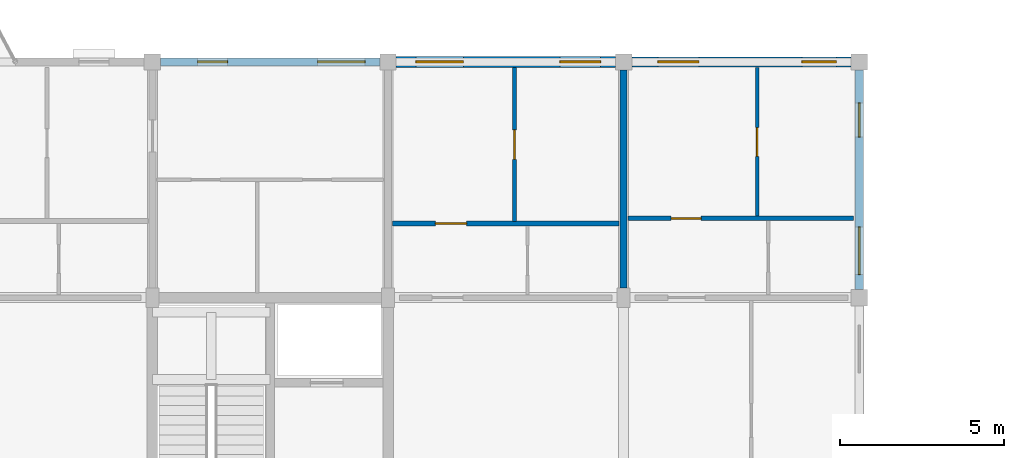
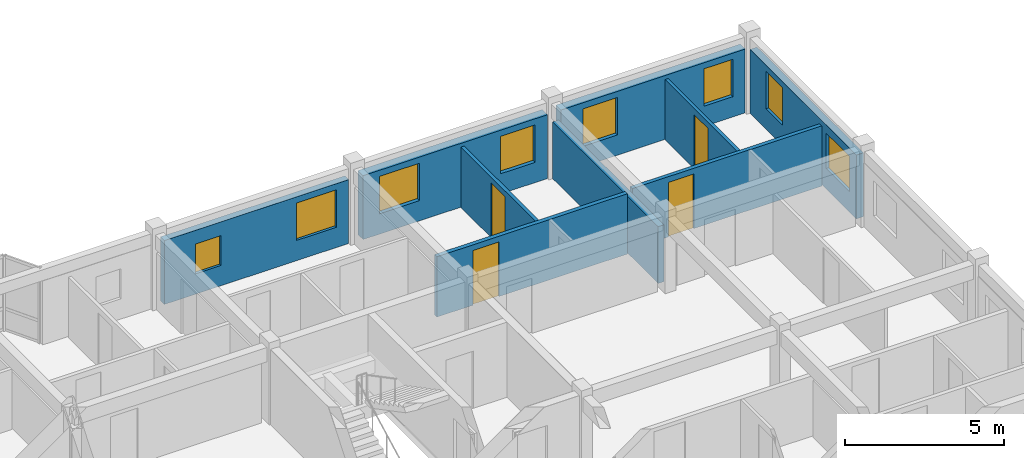
# One storey, part 60 of 65: 9 walls, 8 windows, 4 doors, 12 openings.
"""IFC4 building model written with IfcOpenShell, lengths in metres."""

from ifc_helpers import new_model, si_unit, direction, frame, frame_2d, origin, place, context, subcontext, project, spatial, rectangle, extrude, material, layer, layer_set, type_object, element, fill, save


model = new_model("IFC4")

# Units and contexts
model_context = context("Model", 3, precision=1e-05, world=origin(), true_north=direction((0.0, 1.0)))
body_context = subcontext(model_context, "Body", "Model", "MODEL_VIEW")
ifc_project = project(units=[si_unit("LENGTHUNIT", "METRE"), si_unit("AREAUNIT", "SQUARE_METRE"), si_unit("VOLUMEUNIT", "CUBIC_METRE"), si_unit("PLANEANGLEUNIT", "RADIAN"), si_unit("MASSUNIT", "GRAM", prefix="KILO"), si_unit("THERMODYNAMICTEMPERATUREUNIT", "KELVIN"), si_unit("POWERUNIT", "WATT")], contexts=[model_context])

# Site, building, storey
site_placement = place(None, origin())
site = spatial("IfcSite", under=ifc_project, at=site_placement, CompositionType="ELEMENT")
building_placement = place(site_placement, origin())
building = spatial("IfcBuilding", under=site, at=building_placement, Name="Tavuni Mirador Residences", CompositionType="ELEMENT")
storey_placement = place(building_placement, frame((0.0, 0.0, 29.699951171875)))
storey = spatial("IfcBuildingStorey", under=building, at=storey_placement, Name="L09", CompositionType="ELEMENT", Elevation=29.699951171875)

# Wall, openings, windows
ifc_material_1 = material(Name="Precast concrete C40/50", Category="concrete")
ifc_layer_1 = layer(ifc_material_1, 0.330078125, Name="Precast concrete C40/50", Category="concrete")
ifc_layer_set_1 = layer_set([ifc_layer_1], Name="Precast concrete C40/50")
wall_type_1 = type_object("IfcWallType", Name="WT-EXT-COR330", PredefinedType="SOLIDWALL", material=ifc_layer_set_1)
wall_1_placement = place(storey_placement, frame((53.75, 172.800048828125, 0.0), z_axis=(0.0, 0.0, 1.0), x_axis=(-1.0, 0.0, 0.0)))
wall_1 = element("IfcWall", 1, at=wall_1_placement, inside=storey, type_object=wall_type_1, Name="EW-BLK-C-L09-N05", PredefinedType="SOLIDWALL", context=body_context, shape_type="SweptSolid", body=[
    extrude(rectangle(XDim=6.699951171875, YDim=0.330078125, at=frame_2d((3.35009765625, 0.0))), origin(), (0.0, 0.0, 1.0), 2.455078125),
])
opening_1_placement = place(wall_1_placement, frame((0.449951171875, 0.0, 0.780029296875)))
opening_1 = element("IfcOpeningElement", 2, at=opening_1_placement, cuts=wall_1, Name="Opening WN-28", PredefinedType="OPENING", context=body_context, shape_type="SweptSolid", body=[
    extrude(rectangle(XDim=1.25, YDim=1.43994140625, at=frame_2d((0.625, 0.719970703125))), frame((0.0, 0.175048828125, 0.0), z_axis=(0.0, -1.0, 0.0), x_axis=(1.0, 0.0, 0.0)), (0.0, 0.0, 1.0), 0.35009765625),
])
opening_2_placement = place(wall_1_placement, frame((4.64990234375, 0.0, 0.780029296875)))
opening_2 = element("IfcOpeningElement", 3, at=opening_2_placement, cuts=wall_1, Name="Opening WN-30", PredefinedType="OPENING", context=body_context, shape_type="SweptSolid", body=[
    extrude(rectangle(XDim=1.449951171875, YDim=1.43994140625, at=frame_2d((0.72509765625, 0.719970703125))), frame((0.0, 0.175048828125, 0.0), z_axis=(0.0, -1.0, 0.0), x_axis=(1.0, 0.0, 0.0)), (0.0, 0.0, 1.0), 0.35009765625),
])
ifc_material_2 = material(Name="Laminated solar-control glass", Category="glass")
window_type_1 = type_object("IfcWindowType", Name="WNT-28", PartitioningType="SINGLE_PANEL", PredefinedType="WINDOW", material=ifc_material_2)
window_1_placement = place(opening_1_placement, origin())
window_1 = element("IfcWindow", 4, at=window_1_placement, inside=storey, type_object=window_type_1, Name="WIN-1248", OverallHeight=1.43994140625, OverallWidth=1.25, PartitioningType="SINGLE_PANEL", PredefinedType="WINDOW", context=body_context, shape_type="SweptSolid", body=[
    extrude(rectangle(XDim=1.25, YDim=1.43994140625, at=frame_2d((0.625, 0.719970703125))), frame((0.0, 0.030029296875, 0.0), z_axis=(0.0, -1.0, 0.0), x_axis=(1.0, 0.0, 0.0)), (0.0, 0.0, 1.0), 0.06005859375),
])
fill(opening_1, window_1)
window_type_2 = type_object("IfcWindowType", Name="WNT-30", PartitioningType="SINGLE_PANEL", PredefinedType="WINDOW", material=ifc_material_2)
window_2_placement = place(opening_2_placement, origin())
window_2 = element("IfcWindow", 5, at=window_2_placement, inside=storey, type_object=window_type_2, Name="WIN-1249", OverallHeight=1.43994140625, OverallWidth=1.449951171875, PartitioningType="SINGLE_PANEL", PredefinedType="WINDOW", context=body_context, shape_type="SweptSolid", body=[
    extrude(rectangle(XDim=1.449951171875, YDim=1.43994140625, at=frame_2d((0.72509765625, 0.719970703125))), frame((0.0, 0.030029296875, 0.0), z_axis=(0.0, -1.0, 0.0), x_axis=(1.0, 0.0, 0.0)), (0.0, 0.0, 1.0), 0.06005859375),
])
fill(opening_2, window_2)

ifc_material_3 = material(Name="Sgraffito lime-rendered precast concrete C40/50", Category="concrete")
ifc_layer_2 = layer(ifc_material_3, 0.2451171875, Name="Sgraffito lime-rendered precast concrete C40/50", Category="concrete")
ifc_layer_set_2 = layer_set([ifc_layer_2], Name="Sgraffito lime-rendered precast concrete C40/50")
wall_type_2 = type_object("IfcWallType", Name="WT-EXT-PC245", PredefinedType="SOLIDWALL", material=ifc_layer_set_2)
wall_2_placement = place(storey_placement, frame((46.550048828125, 172.800048828125, 0.0), z_axis=(0.0, 0.0, 1.0), x_axis=(-1.0, 0.0, 0.0)))
wall_2 = element("IfcWall", 6, at=wall_2_placement, inside=storey, type_object=wall_type_2, Name="EW-BLK-C-L09-N04", PredefinedType="SOLIDWALL", context=body_context, shape_type="SweptSolid", body=[
    extrude(rectangle(XDim=6.699951171875, YDim=0.2451171875, at=frame_2d((3.35009765625, 0.0))), origin(), (0.0, 0.0, 1.0), 2.455078125),
])
opening_3_placement = place(wall_2_placement, frame((0.449951171875, 0.0, 0.780029296875)))
opening_3 = element("IfcOpeningElement", 7, at=opening_3_placement, cuts=wall_2, Name="Opening WN-30", PredefinedType="OPENING", context=body_context, shape_type="SweptSolid", body=[
    extrude(rectangle(XDim=1.449951171875, YDim=1.43994140625, at=frame_2d((0.72509765625, 0.719970703125))), frame((0.0, 0.132568359375, 0.0), z_axis=(0.0, -1.0, 0.0), x_axis=(1.0, 0.0, 0.0)), (0.0, 0.0, 1.0), 0.26513671875),
])
opening_4_placement = place(wall_2_placement, frame((4.64990234375, 0.0, 0.780029296875)))
opening_4 = element("IfcOpeningElement", 8, at=opening_4_placement, cuts=wall_2, Name="Opening WN-02", PredefinedType="OPENING", context=body_context, shape_type="SweptSolid", body=[
    extrude(rectangle(XDim=0.919921875, YDim=1.14990234375, at=frame_2d((0.4599609375, 0.574951171875))), frame((0.0, 0.132568359375, 0.0), z_axis=(0.0, -1.0, 0.0), x_axis=(1.0, 0.0, 0.0)), (0.0, 0.0, 1.0), 0.26513671875),
])
window_type_3 = type_object("IfcWindowType", Name="WNT-02", PartitioningType="SINGLE_PANEL", PredefinedType="WINDOW", material=ifc_material_2)
window_3_placement = place(opening_4_placement, origin())
window_3 = element("IfcWindow", 9, at=window_3_placement, inside=storey, type_object=window_type_3, Name="WIN-1251", OverallHeight=1.14990234375, OverallWidth=0.919921875, PartitioningType="SINGLE_PANEL", PredefinedType="WINDOW", context=body_context, shape_type="SweptSolid", body=[
    extrude(rectangle(XDim=0.919921875, YDim=1.14990234375, at=frame_2d((0.4599609375, 0.574951171875))), frame((0.0, 0.030029296875, 0.0), z_axis=(0.0, -1.0, 0.0), x_axis=(1.0, 0.0, 0.0)), (0.0, 0.0, 1.0), 0.06005859375),
])
fill(opening_4, window_3)
window_4_placement = place(opening_3_placement, origin())
window_4 = element("IfcWindow", 10, at=window_4_placement, inside=storey, type_object=window_type_2, Name="WIN-1250", OverallHeight=1.43994140625, OverallWidth=1.449951171875, PartitioningType="SINGLE_PANEL", PredefinedType="WINDOW", context=body_context, shape_type="SweptSolid", body=[
    extrude(rectangle(XDim=1.449951171875, YDim=1.43994140625, at=frame_2d((0.72509765625, 0.719970703125))), frame((0.0, 0.030029296875, 0.0), z_axis=(0.0, -1.0, 0.0), x_axis=(1.0, 0.0, 0.0)), (0.0, 0.0, 1.0), 0.06005859375),
])
fill(opening_3, window_4)

ifc_layer_3 = layer(ifc_material_3, 0.2548828125, Name="Sgraffito lime-rendered precast concrete C40/50", Category="concrete")
ifc_layer_set_3 = layer_set([ifc_layer_3], Name="Sgraffito lime-rendered precast concrete C40/50")
wall_type_3 = type_object("IfcWallType", Name="WT-EXT-PC255", PredefinedType="SOLIDWALL", material=ifc_layer_set_3)
wall_3_placement = place(storey_placement, frame((61.199951171875, 165.85009765625, 0.0), z_axis=(0.0, 0.0, 1.0), x_axis=(0.0, 1.0, 0.0)))
wall_3 = element("IfcWall", 11, at=wall_3_placement, inside=storey, type_object=wall_type_3, Name="EW-BLK-C-L09-E03", PredefinedType="SOLIDWALL", context=body_context, shape_type="SweptSolid", body=[
    extrude(rectangle(XDim=6.699951171875, YDim=0.2548828125, at=frame_2d((3.35009765625, 0.0))), origin(), (0.0, 0.0, 1.0), 2.455078125),
])
opening_5_placement = place(wall_3_placement, frame((0.449951171875, 0.0, 0.780029296875)))
opening_5 = element("IfcOpeningElement", 12, at=opening_5_placement, cuts=wall_3, Name="Opening WN-24", PredefinedType="OPENING", context=body_context, shape_type="SweptSolid", body=[
    extrude(rectangle(XDim=1.4599609375, YDim=1.360107421875, at=frame_2d((0.72998046875, 0.68017578125))), frame((0.0, 0.137451171875, 0.0), z_axis=(0.0, -1.0, 0.0), x_axis=(1.0, 0.0, 0.0)), (0.0, 0.0, 1.0), 0.27490234375),
])
opening_6_placement = place(wall_3_placement, frame((4.64990234375, 0.0, 0.780029296875)))
opening_6 = element("IfcOpeningElement", 13, at=opening_6_placement, cuts=wall_3, Name="Opening WN-26", PredefinedType="OPENING", context=body_context, shape_type="SweptSolid", body=[
    extrude(rectangle(XDim=1.050048828125, YDim=1.43994140625, at=frame_2d((0.52490234375, 0.719970703125))), frame((0.0, 0.137451171875, 0.0), z_axis=(0.0, -1.0, 0.0), x_axis=(1.0, 0.0, 0.0)), (0.0, 0.0, 1.0), 0.27490234375),
])
window_type_4 = type_object("IfcWindowType", Name="WNT-24", PartitioningType="SINGLE_PANEL", PredefinedType="WINDOW", material=ifc_material_2)
window_5_placement = place(opening_5_placement, origin())
window_5 = element("IfcWindow", 14, at=window_5_placement, inside=storey, type_object=window_type_4, Name="WIN-1244", OverallHeight=1.360107421875, OverallWidth=1.4599609375, PartitioningType="SINGLE_PANEL", PredefinedType="WINDOW", context=body_context, shape_type="SweptSolid", body=[
    extrude(rectangle(XDim=1.4599609375, YDim=1.360107421875, at=frame_2d((0.72998046875, 0.68017578125))), frame((0.0, 0.030029296875, 0.0), z_axis=(0.0, -1.0, 0.0), x_axis=(1.0, 0.0, 0.0)), (0.0, 0.0, 1.0), 0.06005859375),
])
fill(opening_5, window_5)
window_type_5 = type_object("IfcWindowType", Name="WNT-26", PartitioningType="SINGLE_PANEL", PredefinedType="WINDOW", material=ifc_material_2)
window_6_placement = place(opening_6_placement, origin())
window_6 = element("IfcWindow", 15, at=window_6_placement, inside=storey, type_object=window_type_5, Name="WIN-1245", OverallHeight=1.43994140625, OverallWidth=1.050048828125, PartitioningType="SINGLE_PANEL", PredefinedType="WINDOW", context=body_context, shape_type="SweptSolid", body=[
    extrude(rectangle(XDim=1.050048828125, YDim=1.43994140625, at=frame_2d((0.52490234375, 0.719970703125))), frame((0.0, 0.030029296875, 0.0), z_axis=(0.0, -1.0, 0.0), x_axis=(1.0, 0.0, 0.0)), (0.0, 0.0, 1.0), 0.06005859375),
])
fill(opening_6, window_6)

ifc_layer_4 = layer(ifc_material_3, 0.31494140625, Name="Sgraffito lime-rendered precast concrete C40/50", Category="concrete")
ifc_layer_set_4 = layer_set([ifc_layer_4], Name="Sgraffito lime-rendered precast concrete C40/50")
wall_type_4 = type_object("IfcWallType", Name="WT-EXT-PC315", PredefinedType="SOLIDWALL", material=ifc_layer_set_4)
wall_4_placement = place(storey_placement, frame((60.949951171875, 172.800048828125, 0.0), z_axis=(0.0, 0.0, 1.0), x_axis=(-1.0, 0.0, 0.0)))
wall_4 = element("IfcWall", 16, at=wall_4_placement, inside=storey, type_object=wall_type_4, Name="EW-BLK-C-L09-N06", PredefinedType="SOLIDWALL", context=body_context, shape_type="SweptSolid", body=[
    extrude(rectangle(XDim=6.699951171875, YDim=0.31494140625, at=frame_2d((3.35009765625, 0.0))), origin(), (0.0, 0.0, 1.0), 2.455078125),
])
opening_7_placement = place(wall_4_placement, frame((0.449951171875, 0.0, 0.780029296875)))
opening_7 = element("IfcOpeningElement", 17, at=opening_7_placement, cuts=wall_4, Name="Opening WN-26", PredefinedType="OPENING", context=body_context, shape_type="SweptSolid", body=[
    extrude(rectangle(XDim=1.050048828125, YDim=1.43994140625, at=frame_2d((0.52490234375, 0.719970703125))), frame((0.0, 0.16748046875, 0.0), z_axis=(0.0, -1.0, 0.0), x_axis=(1.0, 0.0, 0.0)), (0.0, 0.0, 1.0), 0.3349609375),
])
opening_8_placement = place(wall_4_placement, frame((4.64990234375, 0.0, 0.780029296875)))
opening_8 = element("IfcOpeningElement", 18, at=opening_8_placement, cuts=wall_4, Name="Opening WN-28", PredefinedType="OPENING", context=body_context, shape_type="SweptSolid", body=[
    extrude(rectangle(XDim=1.25, YDim=1.43994140625, at=frame_2d((0.625, 0.719970703125))), frame((0.0, 0.16748046875, 0.0), z_axis=(0.0, -1.0, 0.0), x_axis=(1.0, 0.0, 0.0)), (0.0, 0.0, 1.0), 0.3349609375),
])
window_7_placement = place(opening_7_placement, origin())
window_7 = element("IfcWindow", 19, at=window_7_placement, inside=storey, type_object=window_type_5, Name="WIN-1246", OverallHeight=1.43994140625, OverallWidth=1.050048828125, PartitioningType="SINGLE_PANEL", PredefinedType="WINDOW", context=body_context, shape_type="SweptSolid", body=[
    extrude(rectangle(XDim=1.050048828125, YDim=1.43994140625, at=frame_2d((0.52490234375, 0.719970703125))), frame((0.0, 0.030029296875, 0.0), z_axis=(0.0, -1.0, 0.0), x_axis=(1.0, 0.0, 0.0)), (0.0, 0.0, 1.0), 0.06005859375),
])
fill(opening_7, window_7)
window_8_placement = place(opening_8_placement, origin())
window_8 = element("IfcWindow", 20, at=window_8_placement, inside=storey, type_object=window_type_1, Name="WIN-1247", OverallHeight=1.43994140625, OverallWidth=1.25, PartitioningType="SINGLE_PANEL", PredefinedType="WINDOW", context=body_context, shape_type="SweptSolid", body=[
    extrude(rectangle(XDim=1.25, YDim=1.43994140625, at=frame_2d((0.625, 0.719970703125))), frame((0.0, 0.030029296875, 0.0), z_axis=(0.0, -1.0, 0.0), x_axis=(1.0, 0.0, 0.0)), (0.0, 0.0, 1.0), 0.06005859375),
])
fill(opening_8, window_8)

# Wall, opening, door
ifc_material_4 = material(Name="Acoustic gypsum and concrete block partition", Category="concrete")
ifc_layer_5 = layer(ifc_material_4, 0.114990234375, Name="Acoustic gypsum and concrete block partition", Category="concrete")
ifc_layer_set_5 = layer_set([ifc_layer_5], Name="Acoustic gypsum and concrete block partition")
wall_type_5 = type_object("IfcWallType", Name="WT-PART115", PredefinedType="PARTITIONING", material=ifc_layer_set_5)
wall_5_placement = place(storey_placement, frame((58.080078125, 168.090087890625, 0.0), z_axis=(0.0, 0.0, 1.0), x_axis=(0.0, 1.0, 0.0)))
wall_5 = element("IfcWall", 21, at=wall_5_placement, inside=storey, type_object=wall_type_5, Name="PW-BLK-C-L09-N06-OUT", PredefinedType="PARTITIONING", context=body_context, shape_type="SweptSolid", body=[
    extrude(rectangle(XDim=4.534912109375, YDim=0.114990234375, at=frame_2d((2.267578125, 0.0))), origin(), (0.0, 0.0, 1.0), 2.320068359375),
])
opening_9_placement = place(wall_5_placement, frame((1.827392578125, 0.0, 0.0)))
opening_9 = element("IfcOpeningElement", 22, at=opening_9_placement, cuts=wall_5, Name="Opening D-08", PredefinedType="OPENING", context=body_context, shape_type="SweptSolid", body=[
    extrude(rectangle(XDim=0.8798828125, YDim=2.080078125, at=frame_2d((0.43994140625, 1.0400390625))), frame((0.0, 0.0673828125, 0.0), z_axis=(0.0, -1.0, 0.0), x_axis=(1.0, 0.0, 0.0)), (0.0, 0.0, 1.0), 0.135009765625),
])
ifc_material_5 = material(Name="Solid core iroko timber", Category="wood")
door_type_1 = type_object("IfcDoorType", Name="DT-BED880", OperationType="NOTDEFINED", PredefinedType="DOOR", material=ifc_material_5)
door_1_placement = place(opening_9_placement, origin())
door_1 = element("IfcDoor", 23, at=door_1_placement, inside=storey, type_object=door_type_1, Name="DR-4152", OperationType="SINGLE_SWING_LEFT", OverallHeight=2.080078125, OverallWidth=0.8798828125, PredefinedType="DOOR", context=body_context, shape_type="SweptSolid", body=[
    extrude(rectangle(XDim=0.8798828125, YDim=2.080078125, at=frame_2d((0.43994140625, 1.0400390625))), frame((0.0, 0.02490234375, 0.0), z_axis=(0.0, -1.0, 0.0), x_axis=(1.0, 0.0, 0.0)), (0.0, 0.0, 1.0), 0.050048828125),
])
fill(opening_9, door_1)

ifc_layer_6 = layer(ifc_material_4, 0.125, Name="Acoustic gypsum and concrete block partition", Category="concrete")
ifc_layer_set_6 = layer_set([ifc_layer_6], Name="Acoustic gypsum and concrete block partition")
wall_type_6 = type_object("IfcWallType", Name="WT-PART125", PredefinedType="PARTITIONING", material=ifc_layer_set_6)
wall_6_placement = place(storey_placement, frame((50.659912109375, 167.929931640625, 0.0), z_axis=(0.0, 0.0, 1.0), x_axis=(0.0, 1.0, 0.0)))
wall_6 = element("IfcWall", 24, at=wall_6_placement, inside=storey, type_object=wall_type_6, Name="PW-BLK-C-L09-N05-OUT", PredefinedType="PARTITIONING", context=body_context, shape_type="SweptSolid", body=[
    extrude(rectangle(XDim=4.695068359375, YDim=0.125, at=frame_2d((2.34765625, 0.0))), origin(), (0.0, 0.0, 1.0), 2.320068359375),
])
opening_10_placement = place(wall_6_placement, frame((1.8974609375, 0.0, 0.0)))
opening_10 = element("IfcOpeningElement", 25, at=opening_10_placement, cuts=wall_6, Name="Opening D-07", PredefinedType="OPENING", context=body_context, shape_type="SweptSolid", body=[
    extrude(rectangle(XDim=0.89990234375, YDim=2.10009765625, at=frame_2d((0.449951171875, 1.050048828125))), frame((0.0, 0.072509765625, 0.0), z_axis=(0.0, -1.0, 0.0), x_axis=(1.0, 0.0, 0.0)), (0.0, 0.0, 1.0), 0.14501953125),
])
door_type_2 = type_object("IfcDoorType", Name="DT-BED900", OperationType="NOTDEFINED", PredefinedType="DOOR", material=ifc_material_5)
door_2_placement = place(opening_10_placement, origin())
door_2 = element("IfcDoor", 26, at=door_2_placement, inside=storey, type_object=door_type_2, Name="DR-4145", OperationType="SINGLE_SWING_RIGHT", OverallHeight=2.10009765625, OverallWidth=0.89990234375, PredefinedType="DOOR", context=body_context, shape_type="SweptSolid", body=[
    extrude(rectangle(XDim=0.89990234375, YDim=2.10009765625, at=frame_2d((0.449951171875, 1.050048828125))), frame((0.0, 0.02490234375, 0.0), z_axis=(0.0, -1.0, 0.0), x_axis=(1.0, 0.0, 0.0)), (0.0, 0.0, 1.0), 0.050048828125),
])
fill(opening_10, door_2)

ifc_layer_7 = layer(ifc_material_4, 0.139892578125, Name="Acoustic gypsum and concrete block partition", Category="concrete")
ifc_layer_set_7 = layer_set([ifc_layer_7], Name="Acoustic gypsum and concrete block partition")
wall_type_7 = type_object("IfcWallType", Name="WT-PART140", PredefinedType="PARTITIONING", material=ifc_layer_set_7)
wall_7_placement = place(storey_placement, frame((54.139892578125, 168.02001953125, 0.0), z_axis=(0.0, 0.0, 1.0), x_axis=(1.0, 0.0, 0.0)))
wall_7 = element("IfcWall", 27, at=wall_7_placement, inside=storey, type_object=wall_type_7, Name="PW-BLK-C-L09-N06-MID", PredefinedType="PARTITIONING", context=body_context, shape_type="SweptSolid", body=[
    extrude(rectangle(XDim=6.885009765625, YDim=0.139892578125, at=frame_2d((3.4423828125, 0.0))), origin(), (0.0, 0.0, 1.0), 2.320068359375),
])
opening_11_placement = place(wall_7_placement, frame((1.31005859375, 0.0, 0.0)))
opening_11 = element("IfcOpeningElement", 28, at=opening_11_placement, cuts=wall_7, Name="Opening D-06", PredefinedType="OPENING", context=body_context, shape_type="SweptSolid", body=[
    extrude(rectangle(XDim=0.919921875, YDim=2.10009765625, at=frame_2d((0.4599609375, 1.050048828125))), frame((0.0, 0.080078125, 0.0), z_axis=(0.0, -1.0, 0.0), x_axis=(1.0, 0.0, 0.0)), (0.0, 0.0, 1.0), 0.159912109375),
])
door_type_3 = type_object("IfcDoorType", Name="DT-INT920", OperationType="NOTDEFINED", PredefinedType="DOOR", material=ifc_material_5)
door_3_placement = place(opening_11_placement, origin())
door_3 = element("IfcDoor", 29, at=door_3_placement, inside=storey, type_object=door_type_3, Name="DR-4154", OperationType="SINGLE_SWING_RIGHT", OverallHeight=2.10009765625, OverallWidth=0.919921875, PredefinedType="DOOR", context=body_context, shape_type="SweptSolid", body=[
    extrude(rectangle(XDim=0.919921875, YDim=2.10009765625, at=frame_2d((0.4599609375, 1.050048828125))), frame((0.0, 0.02490234375, 0.0), z_axis=(0.0, -1.0, 0.0), x_axis=(1.0, 0.0, 0.0)), (0.0, 0.0, 1.0), 0.050048828125),
])
fill(opening_11, door_3)

ifc_layer_8 = layer(ifc_material_4, 0.14990234375, Name="Acoustic gypsum and concrete block partition", Category="concrete")
ifc_layer_set_8 = layer_set([ifc_layer_8], Name="Acoustic gypsum and concrete block partition")
wall_type_8 = type_object("IfcWallType", Name="WT-PART150", PredefinedType="PARTITIONING", material=ifc_layer_set_8)
wall_8_placement = place(storey_placement, frame((46.93994140625, 167.860107421875, 0.0), z_axis=(0.0, 0.0, 1.0), x_axis=(1.0, 0.0, 0.0)))
wall_8 = element("IfcWall", 30, at=wall_8_placement, inside=storey, type_object=wall_type_8, Name="PW-BLK-C-L09-N05-MID", PredefinedType="PARTITIONING", context=body_context, shape_type="SweptSolid", body=[
    extrude(rectangle(XDim=6.920166015625, YDim=0.14990234375, at=frame_2d((3.4599609375, 0.0))), origin(), (0.0, 0.0, 1.0), 2.320068359375),
])
opening_12_placement = place(wall_8_placement, frame((1.31005859375, 0.0, 0.0)))
opening_12 = element("IfcOpeningElement", 31, at=opening_12_placement, cuts=wall_8, Name="Opening D-05", PredefinedType="OPENING", context=body_context, shape_type="SweptSolid", body=[
    extrude(rectangle(XDim=0.949951171875, YDim=2.10009765625, at=frame_2d((0.47509765625, 1.050048828125))), frame((0.0, 0.0849609375, 0.0), z_axis=(0.0, -1.0, 0.0), x_axis=(1.0, 0.0, 0.0)), (0.0, 0.0, 1.0), 0.169921875),
])
door_type_4 = type_object("IfcDoorType", Name="DT-INT950", OperationType="NOTDEFINED", PredefinedType="DOOR", material=ifc_material_5)
door_4_placement = place(opening_12_placement, origin())
door_4 = element("IfcDoor", 32, at=door_4_placement, inside=storey, type_object=door_type_4, Name="DR-4147", OperationType="SINGLE_SWING_LEFT", OverallHeight=2.10009765625, OverallWidth=0.949951171875, PredefinedType="DOOR", context=body_context, shape_type="SweptSolid", body=[
    extrude(rectangle(XDim=0.949951171875, YDim=2.10009765625, at=frame_2d((0.47509765625, 1.050048828125))), frame((0.0, 0.02490234375, 0.0), z_axis=(0.0, -1.0, 0.0), x_axis=(1.0, 0.0, 0.0)), (0.0, 0.0, 1.0), 0.050048828125),
])
fill(opening_12, door_4)

# Wall
ifc_layer_9 = layer(ifc_material_1, 0.215087890625, Name="Precast concrete C40/50", Category="concrete")
ifc_layer_set_9 = layer_set([ifc_layer_9], Name="Precast concrete C40/50")
wall_type_9 = type_object("IfcWallType", Name="WT-XW215", PredefinedType="SOLIDWALL", material=ifc_layer_set_9)
wall_9_placement = place(storey_placement, frame((54.0, 165.89990234375, 0.0), z_axis=(0.0, 0.0, 1.0), x_axis=(0.0, 1.0, 0.0)))
element("IfcWall", 33, at=wall_9_placement, inside=storey, type_object=wall_type_9, Name="XW-BLK-C-L09-N-06", PredefinedType="SOLIDWALL", context=body_context, shape_type="SweptSolid", body=[
    extrude(rectangle(XDim=6.650146484375, YDim=0.215087890625, at=frame_2d((3.3251953125, 0.0))), origin(), (0.0, 0.0, 1.0), 2.18505859375),
])

save(model, "model.ifc")
